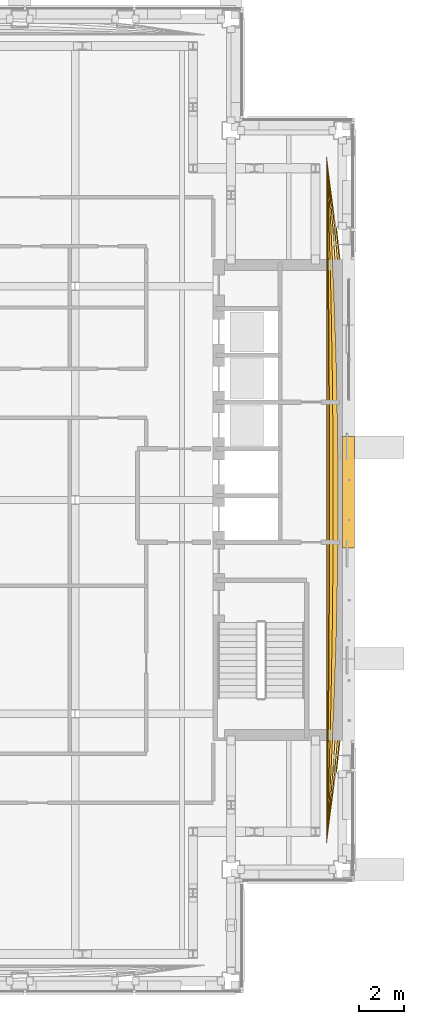
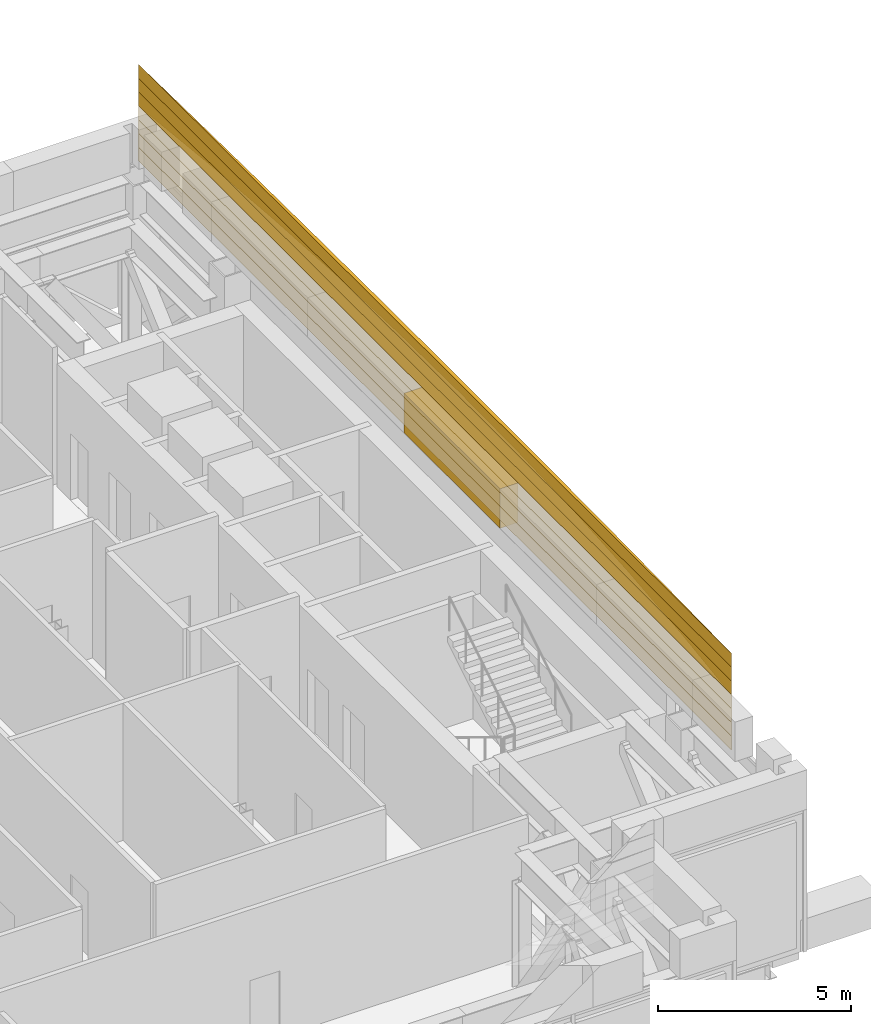
# One storey, part 24 of 29: 8 coverings.
"""IFC4 building model written with IfcOpenShell, lengths in metres."""

from ifc_helpers import new_model, si_unit, direction, frame, origin, place, context, subcontext, project, spatial, polyline, outline, extrude, material, type_object, element, save


model = new_model("IFC4")

# Units and contexts
model_context = context("Model", 3, precision=1e-05, world=origin(), true_north=direction((0.0, 1.0)))
body_context = subcontext(model_context, "Body", "Model", "MODEL_VIEW")
ifc_project = project(units=[si_unit("LENGTHUNIT", "METRE"), si_unit("AREAUNIT", "SQUARE_METRE"), si_unit("VOLUMEUNIT", "CUBIC_METRE"), si_unit("PLANEANGLEUNIT", "RADIAN"), si_unit("MASSUNIT", "GRAM", prefix="KILO")], contexts=[model_context])

# Site, building, storey
site_placement = place(None, origin())
site = spatial("IfcSite", under=ifc_project, at=site_placement, CompositionType="ELEMENT")
building_placement = place(site_placement, origin())
building = spatial("IfcBuilding", under=site, at=building_placement, Name="Cobrizo Arcos Hotel Tower", CompositionType="ELEMENT")
storey_placement = place(building_placement, frame((0.0, 0.0, 186.5)))
storey = spatial("IfcBuildingStorey", under=building, at=storey_placement, Name="L48", CompositionType="ELEMENT", Elevation=186.5)

# Coverings
ifc_material = material(Name="Aluminium 6063-T6 anodised pale", Category="aluminium")
covering_type_1 = type_object("IfcCoveringType", Name="LF-1 setback skirt", PredefinedType="CLADDING", material=ifc_material)
covering_1_placement = place(storey_placement, frame((0.0, 0.0, 4.5)))
element("IfcCovering", 1, at=covering_1_placement, inside=storey, type_object=covering_type_1, Name="Setback skirt L48", PredefinedType="CLADDING", context=body_context, shape_type="SweptSolid", body=[
    extrude(outline(polyline([(22.14990234375, -2.14990234375), (22.14990234375, 2.85009765625), (21.610107421875, 2.85009765625), (21.610107421875, -2.14990234375), (22.14990234375, -2.14990234375)])), origin(), (0.0, 0.0, 1.0), 1.25),
])
covering_type_2 = type_object("IfcCoveringType", Name="LF-2 setback roll course", PredefinedType="CLADDING", material=ifc_material)
covering_2_placement = place(storey_placement, frame((0.0, 0.0, 5.75)))
element("IfcCovering", 2, at=covering_2_placement, inside=storey, type_object=covering_type_2, Name="Setback roll L48 E", PredefinedType="CLADDING", context=body_context, shape_type="SweptSolid", body=[
    extrude(outline(polyline([(20.89990234375, -15.39990234375), (21.344970703125, -12.320068359375), (21.69091796875, -9.239990234375), (21.938232421875, -6.159912109375), (22.08642578125, -3.080078125), (22.135986328125, 0.0), (22.08642578125, 3.080078125), (21.938232421875, 6.159912109375), (21.69091796875, 9.239990234375), (21.344970703125, 12.320068359375), (20.89990234375, 15.39990234375), (20.89990234375, 15.39990234375), (20.89990234375, -15.39990234375)])), origin(), (0.0, 0.0, 1.0), 0.4375),
])
covering_3_placement = place(storey_placement, frame((0.0, 0.0, 6.1875)))
element("IfcCovering", 3, at=covering_3_placement, inside=storey, type_object=covering_type_2, Name="Setback roll L48 E", PredefinedType="CLADDING", context=body_context, shape_type="SweptSolid", body=[
    extrude(outline(polyline([(20.89990234375, -15.39990234375), (21.30859375, -12.320068359375), (21.626220703125, -9.239990234375), (21.85302734375, -6.159912109375), (21.9892578125, -3.080078125), (22.03466796875, 0.0), (21.9892578125, 3.080078125), (21.85302734375, 6.159912109375), (21.626220703125, 9.239990234375), (21.30859375, 12.320068359375), (20.89990234375, 15.39990234375), (20.89990234375, 15.39990234375), (20.89990234375, -15.39990234375)])), origin(), (0.0, 0.0, 1.0), 0.4375),
])
covering_4_placement = place(storey_placement, frame((0.0, 0.0, 6.625)))
element("IfcCovering", 4, at=covering_4_placement, inside=storey, type_object=covering_type_2, Name="Setback roll L48 E", PredefinedType="CLADDING", context=body_context, shape_type="SweptSolid", body=[
    extrude(outline(polyline([(20.89990234375, -15.39990234375), (21.24560546875, -12.320068359375), (21.514404296875, -9.239990234375), (21.70654296875, -6.159912109375), (21.82177734375, -3.080078125), (21.860107421875, 0.0), (21.82177734375, 3.080078125), (21.70654296875, 6.159912109375), (21.514404296875, 9.239990234375), (21.24560546875, 12.320068359375), (20.89990234375, 15.39990234375), (20.89990234375, 15.39990234375), (20.89990234375, -15.39990234375)])), origin(), (0.0, 0.0, 1.0), 0.4375),
])
covering_5_placement = place(storey_placement, frame((0.0, 0.0, 7.0625)))
element("IfcCovering", 5, at=covering_5_placement, inside=storey, type_object=covering_type_2, Name="Setback roll L48 E", PredefinedType="CLADDING", context=body_context, shape_type="SweptSolid", body=[
    extrude(outline(polyline([(20.89990234375, -15.39990234375), (21.1669921875, -12.320068359375), (21.37451171875, -9.239990234375), (21.52294921875, -6.159912109375), (21.61181640625, -3.080078125), (21.6416015625, 0.0), (21.61181640625, 3.080078125), (21.52294921875, 6.159912109375), (21.37451171875, 9.239990234375), (21.1669921875, 12.320068359375), (20.89990234375, 15.39990234375), (20.89990234375, 15.39990234375), (20.89990234375, -15.39990234375)])), origin(), (0.0, 0.0, 1.0), 0.4375),
])
covering_6_placement = place(storey_placement, frame((0.0, 0.0, 7.5)))
element("IfcCovering", 6, at=covering_6_placement, inside=storey, type_object=covering_type_2, Name="Setback roll L48 E", PredefinedType="CLADDING", context=body_context, shape_type="SweptSolid", body=[
    extrude(outline(polyline([(20.89990234375, -15.39990234375), (21.0830078125, -12.320068359375), (21.225341796875, -9.239990234375), (21.3271484375, -6.159912109375), (21.38818359375, -3.080078125), (21.408447265625, 0.0), (21.38818359375, 3.080078125), (21.3271484375, 6.159912109375), (21.225341796875, 9.239990234375), (21.0830078125, 12.320068359375), (20.89990234375, 15.39990234375), (20.89990234375, 15.39990234375), (20.89990234375, -15.39990234375)])), origin(), (0.0, 0.0, 1.0), 0.4375),
])
covering_7_placement = place(storey_placement, frame((0.0, 0.0, 7.9375)))
element("IfcCovering", 7, at=covering_7_placement, inside=storey, type_object=covering_type_2, Name="Setback roll L48 E", PredefinedType="CLADDING", context=body_context, shape_type="SweptSolid", body=[
    extrude(outline(polyline([(20.89990234375, -15.39990234375), (21.00439453125, -12.320068359375), (21.08544921875, -9.239990234375), (21.1435546875, -6.159912109375), (21.17822265625, -3.080078125), (21.18994140625, 0.0), (21.17822265625, 3.080078125), (21.1435546875, 6.159912109375), (21.08544921875, 9.239990234375), (21.00439453125, 12.320068359375), (20.89990234375, 15.39990234375), (20.89990234375, 15.39990234375), (20.89990234375, -15.39990234375)])), origin(), (0.0, 0.0, 1.0), 0.4375),
])
covering_8_placement = place(storey_placement, frame((0.0, 0.0, 8.375)))
element("IfcCovering", 8, at=covering_8_placement, inside=storey, type_object=covering_type_2, Name="Setback roll L48 E", PredefinedType="CLADDING", context=body_context, shape_type="SweptSolid", body=[
    extrude(outline(polyline([(20.89990234375, -15.39990234375), (20.94140625, -12.320068359375), (20.973876953125, -9.239990234375), (20.996826171875, -6.159912109375), (21.0107421875, -3.080078125), (21.015380859375, 0.0), (21.0107421875, 3.080078125), (20.996826171875, 6.159912109375), (20.973876953125, 9.239990234375), (20.94140625, 12.320068359375), (20.89990234375, 15.39990234375), (20.89990234375, 15.39990234375), (20.89990234375, -15.39990234375)])), origin(), (0.0, 0.0, 1.0), 0.4375),
])

save(model, "model.ifc")
